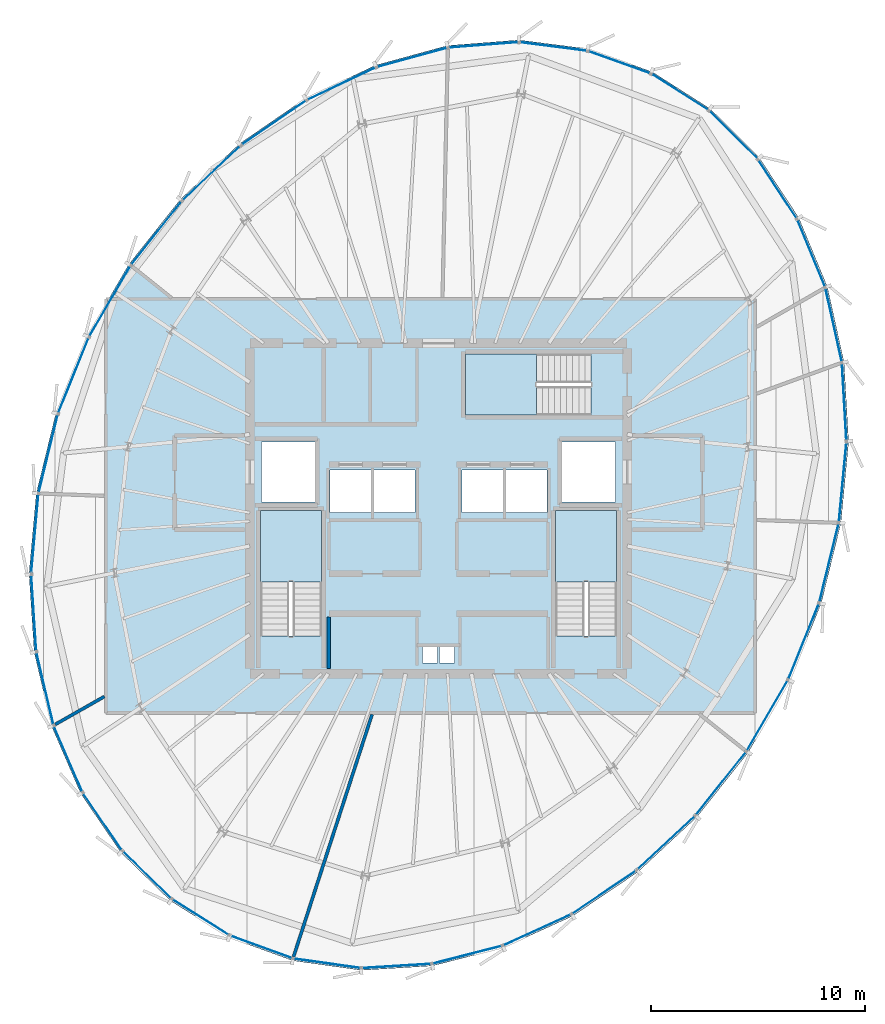
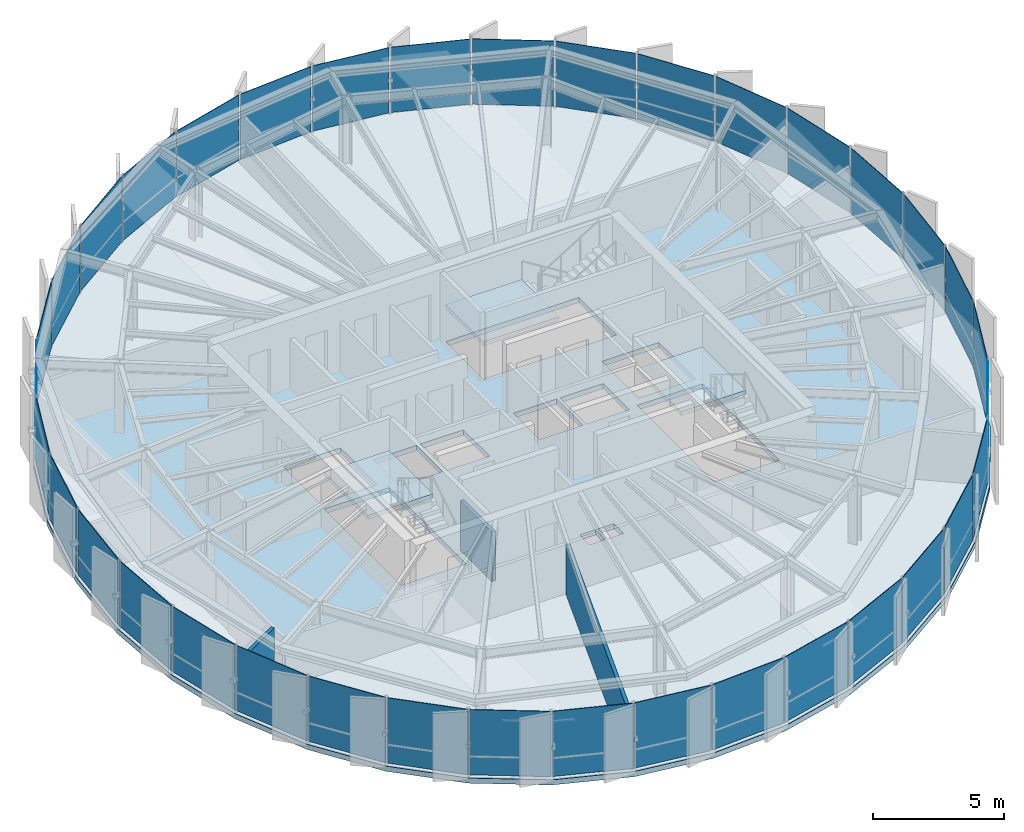
# One storey, part 24 of 31: 36 plates, 4 slabs, 3 walls, 9 elements without a shape of their own.
"""IFC4 building model written with IfcOpenShell, lengths in metres."""

from ifc_helpers import new_model, si_unit, direction, frame, frame_2d, origin, origin_2d, place, context, subcontext, project, spatial, polyline, rectangle, outline, extrude, source, transform, mapped, material, layer, layer_set, type_object, element, aggregate, save


model = new_model("IFC4")

# Units and contexts
model_context = context("Model", 3, precision=1e-05, world=origin(), true_north=direction((0.0, 1.0)))
body_context = subcontext(model_context, "Body", "Model", "MODEL_VIEW")
ifc_project = project(units=[si_unit("LENGTHUNIT", "METRE"), si_unit("AREAUNIT", "SQUARE_METRE"), si_unit("VOLUMEUNIT", "CUBIC_METRE"), si_unit("PLANEANGLEUNIT", "RADIAN"), si_unit("MASSUNIT", "GRAM", prefix="KILO"), si_unit("THERMODYNAMICTEMPERATUREUNIT", "KELVIN")], contexts=[model_context])

# Site, building, storey
site_placement = place(None, origin())
site = spatial("IfcSite", under=ifc_project, at=site_placement, CompositionType="ELEMENT")
building_placement = place(site_placement, origin())
building = spatial("IfcBuilding", under=site, at=building_placement, Name="Kethvar Cultural Tower", CompositionType="ELEMENT")
storey_placement = place(building_placement, frame((0.0, 0.0, 290.5)))
storey = spatial("IfcBuildingStorey", under=building, at=storey_placement, Name="L77", CompositionType="ELEMENT", Elevation=290.5)

# Stair, slab
ifc_material_1 = material(Name="Concrete C40/50", Category="concrete")
stair_type = type_object("IfcStairType", Name="ST-DOGLEG-135", PredefinedType="HALF_TURN_STAIR", material=ifc_material_1)
stair_1_placement = place(storey_placement, origin())
stair_1 = element("IfcStair", 1, at=stair_1_placement, inside=storey, type_object=stair_type, Name="L77 Core Exit Stair 1", PredefinedType="HALF_TURN_STAIR")
ifc_layer_1 = layer(ifc_material_1, 0.199951171875, Name="Concrete C40/50", Category="concrete")
ifc_layer_set_1 = layer_set([ifc_layer_1], Name="Concrete C40/50 (200 mm)")
slab_type_1 = type_object("IfcSlabType", Name="SL-STAIR-LANDING-200", PredefinedType="LANDING", material=ifc_layer_set_1)
slab_1_placement = place(storey_placement, frame((0.0, 0.0, 1.52490234375)))
slab_1 = element("IfcSlab", 2, at=slab_1_placement, type_object=slab_type_1, Name="ST-01 landing 1", PredefinedType="LANDING", context=body_context, shape_type="SweptSolid", body=[
    extrude(outline(polyline([(41.35009765625, 24.3701171875), (41.35009765625, 27.699951171875), (38.489990234375, 27.699951171875), (38.489990234375, 24.3701171875), (41.35009765625, 24.3701171875)])), origin(), (0.0, 0.0, 1.0), 0.2001953125),
])
aggregate(stair_1, [slab_1])

stair_2_placement = place(storey_placement, origin())
stair_2 = element("IfcStair", 3, at=stair_2_placement, inside=storey, type_object=stair_type, Name="L77 Core Exit Stair 2", PredefinedType="HALF_TURN_STAIR")
slab_2_placement = place(storey_placement, frame((0.0, 0.0, 1.52490234375)))
slab_2 = element("IfcSlab", 4, at=slab_2_placement, type_object=slab_type_1, Name="ST-02 landing 1", PredefinedType="LANDING", context=body_context, shape_type="SweptSolid", body=[
    extrude(outline(polyline([(55.110107421875, 24.3701171875), (55.110107421875, 27.699951171875), (52.25, 27.699951171875), (52.25, 24.3701171875), (55.110107421875, 24.3701171875)])), origin(), (0.0, 0.0, 1.0), 0.2001953125),
])
aggregate(stair_2, [slab_2])

stair_3_placement = place(storey_placement, origin())
stair_3 = element("IfcStair", 5, at=stair_3_placement, inside=storey, type_object=stair_type, Name="L77 Core Exit Stair 3", PredefinedType="HALF_TURN_STAIR")
slab_3_placement = place(storey_placement, frame((0.0, 0.0, 1.52490234375)))
slab_3 = element("IfcSlab", 6, at=slab_3_placement, type_object=slab_type_1, Name="ST-03 landing 1", PredefinedType="LANDING", context=body_context, shape_type="SweptSolid", body=[
    extrude(outline(polyline([(51.3798828125, 35.010009765625), (48.050048828125, 35.010009765625), (48.050048828125, 32.14990234375), (51.3798828125, 32.14990234375), (51.3798828125, 35.010009765625)])), origin(), (0.0, 0.0, 1.0), 0.2001953125),
])
aggregate(stair_3, [slab_3])

# Slab
ifc_layer_2 = layer(ifc_material_1, 0.239990234375, Name="Concrete C40/50", Category="concrete")
ifc_layer_set_2 = layer_set([ifc_layer_2], Name="Concrete C40/50 (240 mm)")
slab_type_2 = type_object("IfcSlabType", Name="SL-TOW-240", PredefinedType="FLOOR", material=ifc_layer_set_2)
slab_4_placement = place(storey_placement, frame((0.0, 0.0, -0.239990234375)))
element("IfcSlab", 7, at=slab_4_placement, inside=storey, type_object=slab_type_2, Name="L77 Structural Floor Slab", PredefinedType="FLOOR", context=body_context, shape_type="SweptSolid", body=[
    extrude(outline(polyline([(56.772216796875, 48.156005859375), (53.770263671875, 49.2333984375), (50.549560546875, 49.64501953125), (47.210205078125, 49.3837890625), (43.857666015625, 48.465087890625), (40.59765625, 46.924560546875), (37.53271484375, 44.81689453125), (34.75830078125, 42.21044921875), (32.359619140625, 39.185791015625), (30.406982421875, 35.830810546875), (28.955078125, 32.236328125), (28.045166015625, 28.507080078125), (27.705078125, 24.756591796875), (27.9453125, 21.09814453125), (28.75830078125, 17.6435546875), (30.11962890625, 14.49755859375), (31.98779296875, 11.755859375), (34.305908203125, 9.50146484375), (37.003662109375, 7.80322265625), (39.9990234375, 6.71240234375), (43.201171875, 6.262451171875), (46.5126953125, 6.466796875), (49.832763671875, 7.319580078125), (53.060791015625, 8.794189453125), (56.098388671875, 10.8466796875), (58.853759765625, 13.414306640625), (61.24267578125, 16.418701171875), (63.19287109375, 19.769287109375), (64.647216796875, 23.3681640625), (65.56689453125, 27.117431640625), (65.92578125, 30.906982421875), (65.712890625, 34.620849609375), (64.931884765625, 38.140869140625), (63.60302734375, 41.35302734375), (61.762939453125, 44.151611328125), (59.46337890625, 46.444091796875), (56.772216796875, 48.156005859375)]), holes=[polyline([(38.489990234375, 21.85009765625), (38.489990234375, 27.699951171875), (41.35009765625, 27.699951171875), (41.35009765625, 21.85009765625), (38.489990234375, 21.85009765625)]), polyline([(52.25, 21.85009765625), (52.25, 27.699951171875), (55.110107421875, 27.699951171875), (55.110107421875, 21.85009765625), (52.25, 21.85009765625)]), polyline([(53.89990234375, 32.14990234375), (48.050048828125, 32.14990234375), (48.050048828125, 35.010009765625), (53.89990234375, 35.010009765625), (53.89990234375, 32.14990234375)]), polyline([(41.75, 29.60009765625), (43.64990234375, 29.60009765625), (43.64990234375, 27.60009765625), (41.75, 27.60009765625), (41.75, 29.60009765625)]), polyline([(43.800048828125, 29.60009765625), (45.699951171875, 29.60009765625), (45.699951171875, 27.60009765625), (43.800048828125, 27.60009765625), (43.800048828125, 29.60009765625)]), polyline([(47.89990234375, 29.60009765625), (49.800048828125, 29.60009765625), (49.800048828125, 27.60009765625), (47.89990234375, 27.60009765625), (47.89990234375, 29.60009765625)]), polyline([(49.949951171875, 29.60009765625), (51.85009765625, 29.60009765625), (51.85009765625, 27.60009765625), (49.949951171875, 27.60009765625), (49.949951171875, 29.60009765625)]), polyline([(38.550048828125, 30.89990234375), (41.050048828125, 30.89990234375), (41.050048828125, 28.10009765625), (38.550048828125, 28.10009765625), (38.550048828125, 30.89990234375)]), polyline([(52.550048828125, 30.89990234375), (55.050048828125, 30.89990234375), (55.050048828125, 28.10009765625), (52.550048828125, 28.10009765625), (52.550048828125, 30.89990234375)]), polyline([(46.050048828125, 21.35009765625), (46.75, 21.35009765625), (46.75, 20.60009765625), (46.050048828125, 20.60009765625), (46.050048828125, 21.35009765625)]), polyline([(46.85009765625, 21.35009765625), (47.550048828125, 21.35009765625), (47.550048828125, 20.60009765625), (46.85009765625, 20.60009765625), (46.85009765625, 21.35009765625)])]), origin(), (0.0, 0.0, 1.0), 0.239990234375),
])

# Curtain wall, plate
ifc_material_2 = material(Name="Aluminium 6063-T6", Category="aluminium")
ifc_layer_3 = layer(ifc_material_2, 0.179931640625, Name="Aluminium 6063-T6", Category="aluminium")
ifc_layer_set_3 = layer_set([ifc_layer_3], Name="Aluminium 6063-T6 (180 mm)")
curtain_wall_type = type_object("IfcCurtainWallType", Name="CW-SYS-05-Z56", PredefinedType="NOTDEFINED", material=ifc_layer_set_3)
curtain_wall_1_placement = place(storey_placement, origin())
curtain_wall_1 = element("IfcCurtainWall", 8, at=curtain_wall_1_placement, inside=storey, type_object=curtain_wall_type, Name="L77 Curtain Wall Run 05", PredefinedType="NOTDEFINED")
ifc_material_3 = material(Name="Insulated Low-E Solar Glass", Category="glass")
ifc_layer_4 = layer(ifc_material_3, 0.028076171875, Name="Insulated Low-E Solar Glass", Category="glass")
ifc_layer_set_4 = layer_set([ifc_layer_4], Name="Insulated Low-E Solar Glass (28 mm)")
plate_type = type_object("IfcPlateType", Name="CW-SYS-05-Z56-PNL", PredefinedType="CURTAIN_PANEL", material=ifc_layer_set_4)
shared_shape_1 = source(origin(), body_context, "Body", "SweptSolid", [
    extrude(rectangle(XDim=3.759521484375, YDim=0.028076171875, at=origin_2d()), origin(), (0.0, 0.0, 1.0), 3.030029296875),
])
plate_1_placement = place(storey_placement, frame((59.969970703125, 14.978759765625, 0.08984375), z_axis=(0.0, 0.0, 1.0), x_axis=(0.622364375186, 0.782727656659, 0.0)))
plate_1 = element("IfcPlate", 9, at=plate_1_placement, type_object=plate_type, Name="CW-L77-R05 Vision Glazing Panel 2", PredefinedType="CURTAIN_PANEL", context=body_context, shape_type="MappedRepresentation", body=[
    mapped(shared_shape_1, transform((0.0, 0.0, 0.0), scale=1.0)),
])

curtain_wall_2_placement = place(storey_placement, origin())
curtain_wall_2 = element("IfcCurtainWall", 10, at=curtain_wall_2_placement, inside=storey, type_object=curtain_wall_type, Name="L77 Curtain Wall Run 01", PredefinedType="NOTDEFINED")
shared_shape_2 = source(origin(), body_context, "Body", "SweptSolid", [
    extrude(rectangle(XDim=3.1103515625, YDim=0.028076171875, at=origin_2d()), origin(), (0.0, 0.0, 1.0), 3.030029296875),
])
plate_2_placement = place(storey_placement, frame((55.237548828125, 48.6005859375, 0.08984375), z_axis=(0.0, 0.0, 1.0), x_axis=(-0.941229083479, 0.337768874252, 0.0)))
plate_2 = element("IfcPlate", 11, at=plate_2_placement, type_object=plate_type, Name="CW-L77-R01 Vision Glazing Panel 1", PredefinedType="CURTAIN_PANEL", context=body_context, shape_type="MappedRepresentation", body=[
    mapped(shared_shape_2, transform((0.0, 0.0, 0.0), scale=1.0)),
])

curtain_wall_3_placement = place(storey_placement, origin())
curtain_wall_3 = element("IfcCurtainWall", 12, at=curtain_wall_3_placement, inside=storey, type_object=curtain_wall_type, Name="L77 Curtain Wall Run 06", PredefinedType="NOTDEFINED")
plate_3_placement = place(storey_placement, frame((58.064208984375, 47.2158203125, 0.08984375), z_axis=(0.0, 0.0, 1.0), x_axis=(-0.843775713382, 0.536695952571, 0.0)))
plate_3 = element("IfcPlate", 13, at=plate_3_placement, type_object=plate_type, Name="CW-L77-R06 Vision Glazing Panel 6", PredefinedType="CURTAIN_PANEL", context=body_context, shape_type="MappedRepresentation", body=[
    mapped(shared_shape_2, transform((0.0, 0.0, 0.0), scale=1.0)),
])

# Plate
shared_shape_3 = source(origin(), body_context, "Body", "SweptSolid", [
    extrude(rectangle(XDim=3.167724609375, YDim=0.028076171875, at=origin_2d()), origin(), (0.0, 0.0, 1.0), 3.030029296875),
])
plate_4_placement = place(storey_placement, frame((52.147216796875, 49.340087890625, 0.08984375), z_axis=(0.0, 0.0, 1.0), x_axis=(-0.991929887047, 0.126787614469, 0.0)))
plate_4 = element("IfcPlate", 14, at=plate_4_placement, type_object=plate_type, Name="CW-L77-R01 Vision Glazing Panel 2", PredefinedType="CURTAIN_PANEL", context=body_context, shape_type="MappedRepresentation", body=[
    mapped(shared_shape_3, transform((0.0, 0.0, 0.0), scale=1.0)),
])

plate_5_placement = place(storey_placement, frame((60.54248046875, 45.22705078125, 0.08984375), z_axis=(0.0, 0.0, 1.0), x_axis=(-0.708167339618, 0.706044629678, 0.0)))
plate_5 = element("IfcPlate", 15, at=plate_5_placement, type_object=plate_type, Name="CW-L77-R06 Vision Glazing Panel 5", PredefinedType="CURTAIN_PANEL", context=body_context, shape_type="MappedRepresentation", body=[
    mapped(shared_shape_3, transform((0.0, 0.0, 0.0), scale=1.0)),
])

shared_shape_4 = source(origin(), body_context, "Body", "SweptSolid", [
    extrude(rectangle(XDim=3.27001953125, YDim=0.028076171875, at=origin_2d()), origin(), (0.0, 0.0, 1.0), 3.030029296875),
])
plate_6_placement = place(storey_placement, frame((48.8876953125, 49.414794921875, 0.08984375), z_axis=(0.0, 0.0, 1.0), x_axis=(-0.996956917752, -0.077954500494, 0.0)))
plate_6 = element("IfcPlate", 16, at=plate_6_placement, type_object=plate_type, Name="CW-L77-R01 Vision Glazing Panel 3", PredefinedType="CURTAIN_PANEL", context=body_context, shape_type="MappedRepresentation", body=[
    mapped(shared_shape_4, transform((0.0, 0.0, 0.0), scale=1.0)),
])

shared_shape_5 = source(origin(), body_context, "Body", "SweptSolid", [
    extrude(rectangle(XDim=3.39697265625, YDim=0.028076171875, at=origin_2d()), origin(), (0.0, 0.0, 1.0), 3.030029296875),
])
plate_7_placement = place(storey_placement, frame((45.560302734375, 48.827880859375, 0.08984375), z_axis=(0.0, 0.0, 1.0), x_axis=(-0.964428350586, -0.264344390115, 0.0)))
plate_7 = element("IfcPlate", 17, at=plate_7_placement, type_object=plate_type, Name="CW-L77-R01 Vision Glazing Panel 4", PredefinedType="CURTAIN_PANEL", context=body_context, shape_type="MappedRepresentation", body=[
    mapped(shared_shape_5, transform((0.0, 0.0, 0.0), scale=1.0)),
])

plate_8_placement = place(storey_placement, frame((64.17529296875, 39.708740234375, 0.08984375), z_axis=(0.0, 0.0, 1.0), x_axis=(-0.382280277456, 0.924046421706, 0.0)))
plate_8 = element("IfcPlate", 18, at=plate_8_placement, type_object=plate_type, Name="CW-L77-R06 Vision Glazing Panel 3", PredefinedType="CURTAIN_PANEL", context=body_context, shape_type="MappedRepresentation", body=[
    mapped(shared_shape_5, transform((0.0, 0.0, 0.0), scale=1.0)),
])

shared_shape_6 = source(origin(), body_context, "Body", "SweptSolid", [
    extrude(rectangle(XDim=3.526611328125, YDim=0.028076171875, at=origin_2d()), origin(), (0.0, 0.0, 1.0), 3.030029296875),
])
plate_9_placement = place(storey_placement, frame((42.2705078125, 47.6044921875, 0.08984375), z_axis=(0.0, 0.0, 1.0), x_axis=(-0.904149667723, -0.427215845161, 0.0)))
plate_9 = element("IfcPlate", 19, at=plate_9_placement, type_object=plate_type, Name="CW-L77-R01 Vision Glazing Panel 5", PredefinedType="CURTAIN_PANEL", context=body_context, shape_type="MappedRepresentation", body=[
    mapped(shared_shape_6, transform((0.0, 0.0, 0.0), scale=1.0)),
])

plate_10_placement = place(storey_placement, frame((65.224853515625, 36.359130859375, 0.08984375), z_axis=(0.0, 0.0, 1.0), x_axis=(-0.216575928466, 0.976265776932, 0.0)))
plate_10 = element("IfcPlate", 20, at=plate_10_placement, type_object=plate_type, Name="CW-L77-R06 Vision Glazing Panel 2", PredefinedType="CURTAIN_PANEL", context=body_context, shape_type="MappedRepresentation", body=[
    mapped(shared_shape_6, transform((0.0, 0.0, 0.0), scale=1.0)),
])

shared_shape_7 = source(origin(), body_context, "Body", "SweptSolid", [
    extrude(rectangle(XDim=3.640625, YDim=0.028076171875, at=origin_2d()), origin(), (0.0, 0.0, 1.0), 3.030029296875),
])
plate_11_placement = place(storey_placement, frame((39.12158203125, 45.788330078125, 0.08984375), z_axis=(0.0, 0.0, 1.0), x_axis=(-0.823967986031, -0.566636354284, 0.0)))
plate_11 = element("IfcPlate", 21, at=plate_11_placement, type_object=plate_type, Name="CW-L77-R01 Vision Glazing Panel 6", PredefinedType="CURTAIN_PANEL", context=body_context, shape_type="MappedRepresentation", body=[
    mapped(shared_shape_7, transform((0.0, 0.0, 0.0), scale=1.0)),
])

aggregate(curtain_wall_2, [plate_2, plate_4, plate_6, plate_7, plate_9, plate_11])

plate_12_placement = place(storey_placement, frame((65.719482421875, 32.75830078125, 0.08984375), z_axis=(0.0, 0.0, 1.0), x_axis=(-0.05726781045, 0.99835885226, 0.0)))
plate_12 = element("IfcPlate", 22, at=plate_12_placement, type_object=plate_type, Name="CW-L77-R06 Vision Glazing Panel 1", PredefinedType="CURTAIN_PANEL", context=body_context, shape_type="MappedRepresentation", body=[
    mapped(shared_shape_7, transform((0.0, 0.0, 0.0), scale=1.0)),
])

# Curtain wall, plate
curtain_wall_4_placement = place(storey_placement, origin())
curtain_wall_4 = element("IfcCurtainWall", 23, at=curtain_wall_4_placement, inside=storey, type_object=curtain_wall_type, Name="L77 Curtain Wall Run 02", PredefinedType="NOTDEFINED")
shared_shape_8 = source(origin(), body_context, "Body", "SweptSolid", [
    extrude(rectangle(XDim=3.727294921875, YDim=0.028076171875, at=origin_2d()), origin(), (0.0, 0.0, 1.0), 3.030029296875),
])
plate_13_placement = place(storey_placement, frame((36.2138671875, 43.440673828125, 0.08984375), z_axis=(0.0, 0.0, 1.0), x_axis=(-0.728813289847, -0.684712486042, 0.0)))
plate_13 = element("IfcPlate", 24, at=plate_13_placement, type_object=plate_type, Name="CW-L77-R02 Vision Glazing Panel 1", PredefinedType="CURTAIN_PANEL", context=body_context, shape_type="MappedRepresentation", body=[
    mapped(shared_shape_8, transform((0.0, 0.0, 0.0), scale=1.0)),
])

# Plate
plate_14_placement = place(storey_placement, frame((65.64697265625, 29.021728515625, 0.08984375), z_axis=(0.0, 0.0, 1.0), x_axis=(0.094316821263, 0.995542232769, 0.0)))
plate_14 = element("IfcPlate", 25, at=plate_14_placement, type_object=plate_type, Name="CW-L77-R05 Vision Glazing Panel 6", PredefinedType="CURTAIN_PANEL", context=body_context, shape_type="MappedRepresentation", body=[
    mapped(shared_shape_8, transform((0.0, 0.0, 0.0), scale=1.0)),
])

shared_shape_9 = source(origin(), body_context, "Body", "SweptSolid", [
    extrude(rectangle(XDim=3.78125, YDim=0.028076171875, at=origin_2d()), origin(), (0.0, 0.0, 1.0), 3.030029296875),
])
plate_15_placement = place(storey_placement, frame((33.63720703125, 40.635986328125, 0.08984375), z_axis=(0.0, 0.0, 1.0), x_axis=(-0.621380279463, -0.783509124576, 0.0)))
plate_15 = element("IfcPlate", 26, at=plate_15_placement, type_object=plate_type, Name="CW-L77-R02 Vision Glazing Panel 2", PredefinedType="CURTAIN_PANEL", context=body_context, shape_type="MappedRepresentation", body=[
    mapped(shared_shape_9, transform((0.0, 0.0, 0.0), scale=1.0)),
])

plate_16_placement = place(storey_placement, frame((65.010009765625, 25.2666015625, 0.08984375), z_axis=(0.0, 0.0, 1.0), x_axis=(0.238228354981, 0.971209169481, 0.0)))
plate_16 = element("IfcPlate", 27, at=plate_16_placement, type_object=plate_type, Name="CW-L77-R05 Vision Glazing Panel 5", PredefinedType="CURTAIN_PANEL", context=body_context, shape_type="MappedRepresentation", body=[
    mapped(shared_shape_9, transform((0.0, 0.0, 0.0), scale=1.0)),
])

shared_shape_10 = source(origin(), body_context, "Body", "SweptSolid", [
    extrude(rectangle(XDim=3.802490234375, YDim=0.028076171875, at=origin_2d()), origin(), (0.0, 0.0, 1.0), 3.030029296875),
])
plate_17_placement = place(storey_placement, frame((31.4697265625, 37.4580078125, 0.08984375), z_axis=(0.0, 0.0, 1.0), x_axis=(-0.502974692618, -0.864301138832, 0.0)))
plate_17 = element("IfcPlate", 28, at=plate_17_placement, type_object=plate_type, Name="CW-L77-R02 Vision Glazing Panel 3", PredefinedType="CURTAIN_PANEL", context=body_context, shape_type="MappedRepresentation", body=[
    mapped(shared_shape_10, transform((0.0, 0.0, 0.0), scale=1.0)),
])

plate_18_placement = place(storey_placement, frame((63.827392578125, 21.606201171875, 0.08984375), z_axis=(0.0, 0.0, 1.0), x_axis=(0.374655140135, 0.92716423894, 0.0)))
plate_18 = element("IfcPlate", 29, at=plate_18_placement, type_object=plate_type, Name="CW-L77-R05 Vision Glazing Panel 4", PredefinedType="CURTAIN_PANEL", context=body_context, shape_type="MappedRepresentation", body=[
    mapped(shared_shape_10, transform((0.0, 0.0, 0.0), scale=1.0)),
])

shared_shape_11 = source(origin(), body_context, "Body", "SweptSolid", [
    extrude(rectangle(XDim=3.79736328125, YDim=0.028076171875, at=origin_2d()), origin(), (0.0, 0.0, 1.0), 3.030029296875),
])
plate_19_placement = place(storey_placement, frame((29.773681640625, 33.99609375, 0.08984375), z_axis=(0.0, 0.0, 1.0), x_axis=(-0.374574228366, -0.927196930239, 0.0)))
plate_19 = element("IfcPlate", 30, at=plate_19_placement, type_object=plate_type, Name="CW-L77-R02 Vision Glazing Panel 4", PredefinedType="CURTAIN_PANEL", context=body_context, shape_type="MappedRepresentation", body=[
    mapped(shared_shape_11, transform((0.0, 0.0, 0.0), scale=1.0)),
])

shared_shape_12 = source(origin(), body_context, "Body", "SweptSolid", [
    extrude(rectangle(XDim=3.75927734375, YDim=0.028076171875, at=origin_2d()), origin(), (0.0, 0.0, 1.0), 3.030029296875),
])
plate_20_placement = place(storey_placement, frame((28.597412109375, 30.34814453125, 0.08984375), z_axis=(0.0, 0.0, 1.0), x_axis=(-0.237007709767, -0.971507769146, 0.0)))
plate_20 = element("IfcPlate", 31, at=plate_20_placement, type_object=plate_type, Name="CW-L77-R02 Vision Glazing Panel 5", PredefinedType="CURTAIN_PANEL", context=body_context, shape_type="MappedRepresentation", body=[
    mapped(shared_shape_12, transform((0.0, 0.0, 0.0), scale=1.0)),
])

shared_shape_13 = source(origin(), body_context, "Body", "SweptSolid", [
    extrude(rectangle(XDim=3.68701171875, YDim=0.028076171875, at=origin_2d()), origin(), (0.0, 0.0, 1.0), 3.030029296875),
])
plate_21_placement = place(storey_placement, frame((27.974853515625, 26.622802734375, 0.08984375), z_axis=(0.0, 0.0, 1.0), x_axis=(-0.090284945449, -0.995915974681, 0.0)))
plate_21 = element("IfcPlate", 32, at=plate_21_placement, type_object=plate_type, Name="CW-L77-R02 Vision Glazing Panel 6", PredefinedType="CURTAIN_PANEL", context=body_context, shape_type="MappedRepresentation", body=[
    mapped(shared_shape_13, transform((0.0, 0.0, 0.0), scale=1.0)),
])

aggregate(curtain_wall_4, [plate_13, plate_15, plate_17, plate_19, plate_20, plate_21])

plate_22_placement = place(storey_placement, frame((57.407958984375, 12.20361328125, 0.08984375), z_axis=(0.0, 0.0, 1.0), x_axis=(0.731591719395, 0.681743027916, 0.0)))
plate_22 = element("IfcPlate", 33, at=plate_22_placement, type_object=plate_type, Name="CW-L77-R05 Vision Glazing Panel 1", PredefinedType="CURTAIN_PANEL", context=body_context, shape_type="MappedRepresentation", body=[
    mapped(shared_shape_13, transform((0.0, 0.0, 0.0), scale=1.0)),
])

# Curtain wall, plate
curtain_wall_5_placement = place(storey_placement, origin())
curtain_wall_5 = element("IfcCurtainWall", 34, at=curtain_wall_5_placement, inside=storey, type_object=curtain_wall_type, Name="L77 Curtain Wall Run 03", PredefinedType="NOTDEFINED")
shared_shape_14 = source(origin(), body_context, "Body", "SweptSolid", [
    extrude(rectangle(XDim=3.5869140625, YDim=0.028076171875, at=origin_2d()), origin(), (0.0, 0.0, 1.0), 3.030029296875),
])
plate_23_placement = place(storey_placement, frame((27.925048828125, 22.933837890625, 0.08984375), z_axis=(0.0, 0.0, 1.0), x_axis=(0.065525040207, -0.997850925292, 0.0)))
plate_23 = element("IfcPlate", 35, at=plate_23_placement, type_object=plate_type, Name="CW-L77-R03 Vision Glazing Panel 1", PredefinedType="CURTAIN_PANEL", context=body_context, shape_type="MappedRepresentation", body=[
    mapped(shared_shape_14, transform((0.0, 0.0, 0.0), scale=1.0)),
])

curtain_wall_6_placement = place(storey_placement, origin())
curtain_wall_6 = element("IfcCurtainWall", 36, at=curtain_wall_6_placement, inside=storey, type_object=curtain_wall_type, Name="L77 Curtain Wall Run 04", PredefinedType="NOTDEFINED")
plate_24_placement = place(storey_placement, frame((54.523681640625, 9.9033203125, 0.08984375), z_axis=(0.0, 0.0, 1.0), x_axis=(0.828607898817, 0.559829393671, 0.0)))
plate_24 = element("IfcPlate", 37, at=plate_24_placement, type_object=plate_type, Name="CW-L77-R04 Vision Glazing Panel 6", PredefinedType="CURTAIN_PANEL", context=body_context, shape_type="MappedRepresentation", body=[
    mapped(shared_shape_14, transform((0.0, 0.0, 0.0), scale=1.0)),
])

# Plate
shared_shape_15 = source(origin(), body_context, "Body", "SweptSolid", [
    extrude(rectangle(XDim=3.4697265625, YDim=0.028076171875, at=origin_2d()), origin(), (0.0, 0.0, 1.0), 3.030029296875),
])
plate_25_placement = place(storey_placement, frame((28.44921875, 19.393798828125, 0.08984375), z_axis=(0.0, 0.0, 1.0), x_axis=(0.229081468502, -0.973407253306, 0.0)))
plate_25 = element("IfcPlate", 38, at=plate_25_placement, type_object=plate_type, Name="CW-L77-R03 Vision Glazing Panel 2", PredefinedType="CURTAIN_PANEL", context=body_context, shape_type="MappedRepresentation", body=[
    mapped(shared_shape_15, transform((0.0, 0.0, 0.0), scale=1.0)),
])

plate_26_placement = place(storey_placement, frame((51.405029296875, 8.14794921875, 0.08984375), z_axis=(0.0, 0.0, 1.0), x_axis=(0.909562774752, 0.415566551572, 0.0)))
plate_26 = element("IfcPlate", 39, at=plate_26_placement, type_object=plate_type, Name="CW-L77-R04 Vision Glazing Panel 5", PredefinedType="CURTAIN_PANEL", context=body_context, shape_type="MappedRepresentation", body=[
    mapped(shared_shape_15, transform((0.0, 0.0, 0.0), scale=1.0)),
])

shared_shape_16 = source(origin(), body_context, "Body", "SweptSolid", [
    extrude(rectangle(XDim=3.3486328125, YDim=0.028076171875, at=origin_2d()), origin(), (0.0, 0.0, 1.0), 3.030029296875),
])
plate_27_placement = place(storey_placement, frame((29.531005859375, 16.1103515625, 0.08984375), z_axis=(0.0, 0.0, 1.0), x_axis=(0.397131872734, -0.917761557083, 0.0)))
plate_27 = element("IfcPlate", 40, at=plate_27_placement, type_object=plate_type, Name="CW-L77-R03 Vision Glazing Panel 3", PredefinedType="CURTAIN_PANEL", context=body_context, shape_type="MappedRepresentation", body=[
    mapped(shared_shape_16, transform((0.0, 0.0, 0.0), scale=1.0)),
])

plate_28_placement = place(storey_placement, frame((48.147705078125, 6.989990234375, 0.08984375), z_axis=(0.0, 0.0, 1.0), x_axis=(0.968565796939, 0.24875750642, 0.0)))
plate_28 = element("IfcPlate", 41, at=plate_28_placement, type_object=plate_type, Name="CW-L77-R04 Vision Glazing Panel 4", PredefinedType="CURTAIN_PANEL", context=body_context, shape_type="MappedRepresentation", body=[
    mapped(shared_shape_16, transform((0.0, 0.0, 0.0), scale=1.0)),
])

shared_shape_17 = source(origin(), body_context, "Body", "SweptSolid", [
    extrude(rectangle(XDim=3.238525390625, YDim=0.028076171875, at=origin_2d()), origin(), (0.0, 0.0, 1.0), 3.030029296875),
])
plate_29_placement = place(storey_placement, frame((31.136474609375, 13.18310546875, 0.08984375), z_axis=(0.0, 0.0, 1.0), x_axis=(0.563064580746, -0.826412897957, 0.0)))
plate_29 = element("IfcPlate", 42, at=plate_29_placement, type_object=plate_type, Name="CW-L77-R03 Vision Glazing Panel 4", PredefinedType="CURTAIN_PANEL", context=body_context, shape_type="MappedRepresentation", body=[
    mapped(shared_shape_17, transform((0.0, 0.0, 0.0), scale=1.0)),
])

plate_30_placement = place(storey_placement, frame((44.8505859375, 6.46435546875, 0.08984375), z_axis=(0.0, 0.0, 1.0), x_axis=(0.998100546814, 0.06160599362, 0.0)))
plate_30 = element("IfcPlate", 43, at=plate_30_placement, type_object=plate_type, Name="CW-L77-R04 Vision Glazing Panel 3", PredefinedType="CURTAIN_PANEL", context=body_context, shape_type="MappedRepresentation", body=[
    mapped(shared_shape_17, transform((0.0, 0.0, 0.0), scale=1.0)),
])

shared_shape_18 = source(origin(), body_context, "Body", "SweptSolid", [
    extrude(rectangle(XDim=3.154296875, YDim=0.028076171875, at=origin_2d()), origin(), (0.0, 0.0, 1.0), 3.030029296875),
])
plate_31_placement = place(storey_placement, frame((33.216552734375, 10.700439453125, 0.08984375), z_axis=(0.0, 0.0, 1.0), x_axis=(0.716898439715, -0.697177615199, 0.0)))
plate_31 = element("IfcPlate", 44, at=plate_31_placement, type_object=plate_type, Name="CW-L77-R03 Vision Glazing Panel 5", PredefinedType="CURTAIN_PANEL", context=body_context, shape_type="MappedRepresentation", body=[
    mapped(shared_shape_18, transform((0.0, 0.0, 0.0), scale=1.0)),
])

plate_32_placement = place(storey_placement, frame((41.614013671875, 6.58642578125, 0.08984375), z_axis=(0.0, 0.0, 1.0), x_axis=(0.990268068742, -0.13917310096, 0.0)))
plate_32 = element("IfcPlate", 45, at=plate_32_placement, type_object=plate_type, Name="CW-L77-R04 Vision Glazing Panel 2", PredefinedType="CURTAIN_PANEL", context=body_context, shape_type="MappedRepresentation", body=[
    mapped(shared_shape_18, transform((0.0, 0.0, 0.0), scale=1.0)),
])

shared_shape_19 = source(origin(), body_context, "Body", "SweptSolid", [
    extrude(rectangle(XDim=3.108642578125, YDim=0.028076171875, at=origin_2d()), origin(), (0.0, 0.0, 1.0), 3.030029296875),
])
plate_33_placement = place(storey_placement, frame((35.7080078125, 8.737060546875, 0.08984375), z_axis=(0.0, 0.0, 1.0), x_axis=(0.846276859697, -0.532743349785, 0.0)))
plate_33 = element("IfcPlate", 46, at=plate_33_placement, type_object=plate_type, Name="CW-L77-R03 Vision Glazing Panel 6", PredefinedType="CURTAIN_PANEL", context=body_context, shape_type="MappedRepresentation", body=[
    mapped(shared_shape_19, transform((0.0, 0.0, 0.0), scale=1.0)),
])

aggregate(curtain_wall_5, [plate_23, plate_25, plate_27, plate_29, plate_31, plate_33])

plate_34_placement = place(storey_placement, frame((38.53564453125, 7.351806640625, 0.08984375), z_axis=(0.0, 0.0, 1.0), x_axis=(0.939632912698, -0.342184145417, 0.0)))
plate_34 = element("IfcPlate", 47, at=plate_34_placement, type_object=plate_type, Name="CW-L77-R04 Vision Glazing Panel 1", PredefinedType="CURTAIN_PANEL", context=body_context, shape_type="MappedRepresentation", body=[
    mapped(shared_shape_19, transform((0.0, 0.0, 0.0), scale=1.0)),
])

aggregate(curtain_wall_6, [plate_34, plate_32, plate_30, plate_28, plate_26, plate_24])

shared_shape_20 = source(origin(), body_context, "Body", "SweptSolid", [
    extrude(rectangle(XDim=3.797607421875, YDim=0.028076171875, at=origin_2d()), origin(), (0.0, 0.0, 1.0), 3.030029296875),
])
plate_35_placement = place(storey_placement, frame((62.13134765625, 18.144287109375, 0.08984375), z_axis=(0.0, 0.0, 1.0), x_axis=(0.503065199263, 0.864248462706, 0.0)))
plate_35 = element("IfcPlate", 48, at=plate_35_placement, type_object=plate_type, Name="CW-L77-R05 Vision Glazing Panel 3", PredefinedType="CURTAIN_PANEL", context=body_context, shape_type="MappedRepresentation", body=[
    mapped(shared_shape_20, transform((0.0, 0.0, 0.0), scale=1.0)),
])

aggregate(curtain_wall_1, [plate_22, plate_1, plate_35, plate_18, plate_16, plate_14])

shared_shape_21 = source(origin(), body_context, "Body", "SweptSolid", [
    extrude(rectangle(XDim=3.270263671875, YDim=0.028076171875, at=origin_2d()), origin(), (0.0, 0.0, 1.0), 3.030029296875),
])
plate_36_placement = place(storey_placement, frame((62.599365234375, 42.697509765625, 0.08984375), z_axis=(0.0, 0.0, 1.0), x_axis=(-0.549416621964, 0.835548547668, 0.0)))
plate_36 = element("IfcPlate", 49, at=plate_36_placement, type_object=plate_type, Name="CW-L77-R06 Vision Glazing Panel 4", PredefinedType="CURTAIN_PANEL", context=body_context, shape_type="MappedRepresentation", body=[
    mapped(shared_shape_21, transform((0.0, 0.0, 0.0), scale=1.0)),
])

aggregate(curtain_wall_3, [plate_12, plate_10, plate_8, plate_36, plate_5, plate_3])

# Walls
ifc_material_4 = material(Name="Gypsum Fireboard Partition")
ifc_layer_5 = layer(ifc_material_4, 0.14990234375, Name="Gypsum Fireboard Partition")
ifc_layer_set_5 = layer_set([ifc_layer_5], Name="Gypsum Fireboard Partition (150 mm)")
wall_type_1 = type_object("IfcWallType", Name="WL-FIRE-150", PredefinedType="PARTITIONING", material=ifc_layer_set_5)
wall_1_placement = place(storey_placement, frame((41.679931640625, 20.3349609375, 0.0), z_axis=(0.0, 0.0, 1.0), x_axis=(0.0, 1.0, 0.0)))
element("IfcWall", 50, at=wall_1_placement, inside=storey, type_object=wall_type_1, Name="L77 Reclaimed West Outer Wall", PredefinedType="PARTITIONING", context=body_context, shape_type="SweptSolid", body=[
    extrude(rectangle(XDim=2.39501953125, YDim=0.14990234375, at=frame_2d((1.197509765625, 0.0))), origin(), (0.0, 0.0, 1.0), 2.31494140625),
])
ifc_material_5 = material(Name="Gypsum Acoustic Partition")
ifc_layer_6 = layer(ifc_material_5, 0.14990234375, Name="Gypsum Acoustic Partition")
ifc_layer_set_6 = layer_set([ifc_layer_6], Name="Gypsum Acoustic Partition (150 mm)")
wall_type_2 = type_object("IfcWallType", Name="WL-PART-150", PredefinedType="PARTITIONING", material=ifc_layer_set_6)
wall_2_placement = place(storey_placement, frame((31.220458984375, 19.029296875, 0.0), z_axis=(0.0, 0.0, 1.0), x_axis=(-0.869579502261, -0.493792961925, 0.0)))
element("IfcWall", 51, at=wall_2_placement, inside=storey, type_object=wall_type_2, Name="L77 Radial Partition Wall 01", PredefinedType="PARTITIONING", context=body_context, shape_type="SweptSolid", body=[
    extrude(rectangle(XDim=2.6357421875, YDim=0.14990234375, at=frame_2d((1.31787109375, 0.0))), origin(), (0.0, 0.0, 1.0), 2.31494140625),
])
wall_3_placement = place(storey_placement, frame((43.701416015625, 18.19287109375, 0.0), z_axis=(0.0, 0.0, 1.0), x_axis=(-0.308284462529, -0.951294218506, 0.0)))
element("IfcWall", 52, at=wall_3_placement, inside=storey, type_object=wall_type_2, Name="L77 Radial Partition Wall 02", PredefinedType="PARTITIONING", context=body_context, shape_type="SweptSolid", body=[
    extrude(rectangle(XDim=11.874267578125, YDim=0.14990234375, at=frame_2d((5.93701171875, 0.0))), origin(), (0.0, 0.0, 1.0), 2.31494140625),
])

save(model, "model.ifc")
